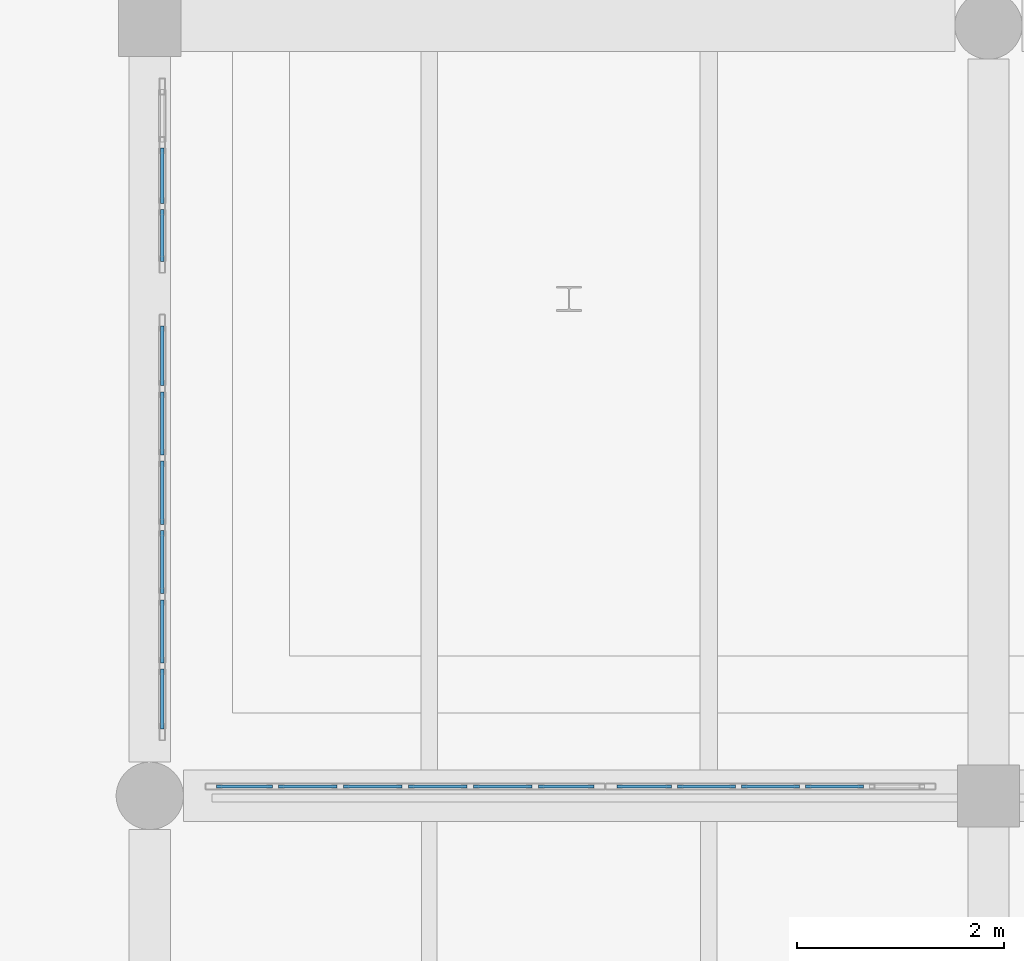
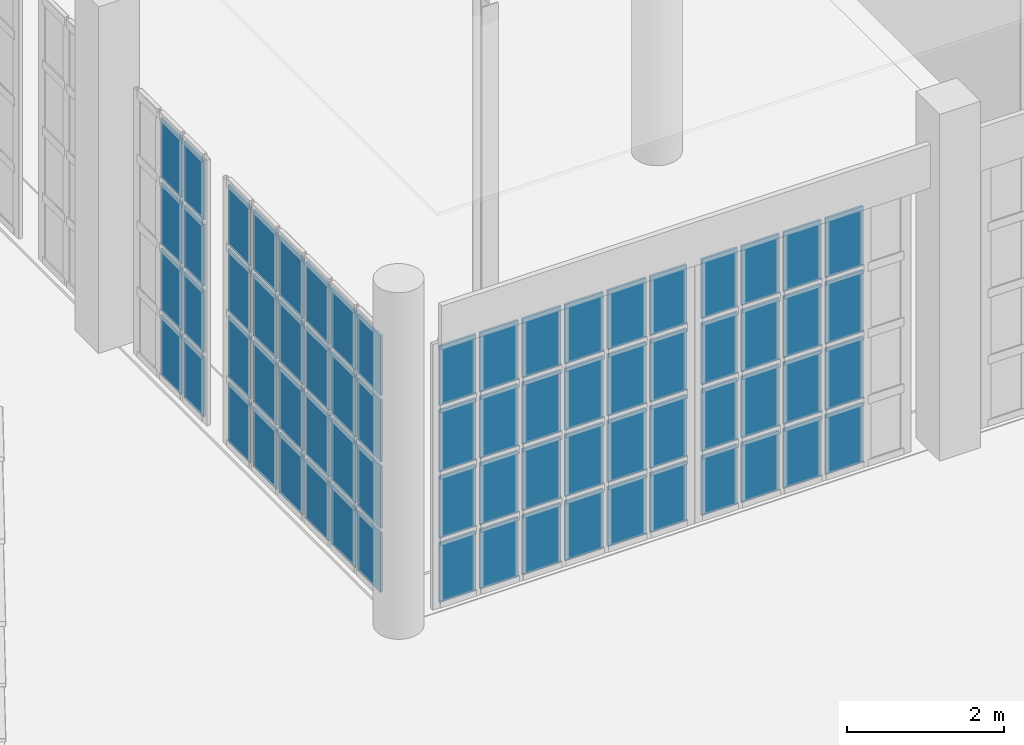
# One storey, part 332 of 372: 72 plates, 4 elements without a shape of their own.
"""IFC4 building model written with IfcOpenShell, lengths in metres."""

from ifc_helpers import new_model, si_unit, direction, frame, origin, origin_2d, place, context, subcontext, project, spatial, rectangle, extrude, material, layer, layer_set, type_object, element, aggregate, save


model = new_model("IFC4")

# Units and contexts
model_context = context("Model", 3, precision=1e-05, world=origin(), true_north=direction((0.0, 1.0)))
body_context = subcontext(model_context, "Body", "Model", "MODEL_VIEW")
ifc_project = project(units=[si_unit("LENGTHUNIT", "METRE"), si_unit("AREAUNIT", "SQUARE_METRE"), si_unit("VOLUMEUNIT", "CUBIC_METRE"), si_unit("PLANEANGLEUNIT", "RADIAN"), si_unit("MASSUNIT", "GRAM", prefix="KILO")], contexts=[model_context])

# Site, building, storey
site_placement = place(None, origin())
site = spatial("IfcSite", under=ifc_project, at=site_placement, CompositionType="ELEMENT")
building_placement = place(site_placement, origin())
building = spatial("IfcBuilding", under=site, at=building_placement, Name="Kaelora Sail Theatre", CompositionType="ELEMENT")
storey_placement = place(building_placement, origin())
storey = spatial("IfcBuildingStorey", under=building, at=storey_placement, Name="L00", CompositionType="ELEMENT", Elevation=0.0)

# Curtain wall, plates
ifc_material_1 = material(Name="Anodised aluminium and solar-control low-E IGU", Category="aluminium")
curtain_wall_type = type_object("IfcCurtainWallType", Name="ARC-CW-CW-FOY2", PredefinedType="NOTDEFINED", material=ifc_material_1)
curtain_wall_1_placement = place(storey_placement, origin())
curtain_wall_1 = element("IfcCurtainWall", 1, at=curtain_wall_1_placement, inside=storey, type_object=curtain_wall_type, Name="East Interstitial Sail Foyer Curtain Wall L00-01", PredefinedType="NOTDEFINED")
ifc_material_2 = material(Name="Solar-control laminated low-E glass", Category="glass")
ifc_layer = layer(ifc_material_2, 0.031982421875)
ifc_layer_set = layer_set([ifc_layer], Name="Solar-control laminated low-E glass")
plate_type = type_object("IfcPlateType", Name="ARC-CW-PNL", PredefinedType="CURTAIN_PANEL", material=ifc_layer_set)
plate_1_placement = place(storey_placement, frame((107.7138671875, 38.7900390625, 0.070068359375), z_axis=(0.0, 0.0, 1.0), x_axis=(1.0, 0.0, 0.0)))
plate_1 = element("IfcPlate", 2, at=plate_1_placement, type_object=plate_type, Name="CW-FOY2 panel 1.1", PredefinedType="CURTAIN_PANEL", context=body_context, shape_type="SweptSolid", body=[
    extrude(rectangle(XDim=0.53759765625, YDim=0.031982421875, at=origin_2d()), origin(), (0.0, 0.0, 1.0), 0.92919921875),
])
plate_2_placement = place(storey_placement, frame((107.7138671875, 38.7900390625, 1.069091796875), z_axis=(0.0, 0.0, 1.0), x_axis=(1.0, 0.0, 0.0)))
plate_2 = element("IfcPlate", 3, at=plate_2_placement, type_object=plate_type, Name="CW-FOY2 panel 1.2", PredefinedType="CURTAIN_PANEL", context=body_context, shape_type="SweptSolid", body=[
    extrude(rectangle(XDim=0.53759765625, YDim=0.031982421875, at=origin_2d()), origin(), (0.0, 0.0, 1.0), 0.96435546875),
])
plate_3_placement = place(storey_placement, frame((107.7138671875, 38.7900390625, 2.103515625), z_axis=(0.0, 0.0, 1.0), x_axis=(1.0, 0.0, 0.0)))
plate_3 = element("IfcPlate", 4, at=plate_3_placement, type_object=plate_type, Name="CW-FOY2 panel 1.3", PredefinedType="CURTAIN_PANEL", context=body_context, shape_type="SweptSolid", body=[
    extrude(rectangle(XDim=0.53759765625, YDim=0.031982421875, at=origin_2d()), origin(), (0.0, 0.0, 1.0), 0.964111328125),
])
plate_4_placement = place(storey_placement, frame((107.7138671875, 38.7900390625, 3.1376953125), z_axis=(0.0, 0.0, 1.0), x_axis=(1.0, 0.0, 0.0)))
plate_4 = element("IfcPlate", 5, at=plate_4_placement, type_object=plate_type, Name="CW-FOY2 panel 1.4", PredefinedType="CURTAIN_PANEL", context=body_context, shape_type="SweptSolid", body=[
    extrude(rectangle(XDim=0.53759765625, YDim=0.031982421875, at=origin_2d()), origin(), (0.0, 0.0, 1.0), 0.92919921875),
])
plate_5_placement = place(storey_placement, frame((108.326171875, 38.7900390625, 0.070068359375), z_axis=(0.0, 0.0, 1.0), x_axis=(1.0, 0.0, 0.0)))
plate_5 = element("IfcPlate", 6, at=plate_5_placement, type_object=plate_type, Name="CW-FOY2 panel 2.1", PredefinedType="CURTAIN_PANEL", context=body_context, shape_type="SweptSolid", body=[
    extrude(rectangle(XDim=0.5673828125, YDim=0.031982421875, at=origin_2d()), origin(), (0.0, 0.0, 1.0), 0.92919921875),
])
plate_6_placement = place(storey_placement, frame((108.326171875, 38.7900390625, 1.069091796875), z_axis=(0.0, 0.0, 1.0), x_axis=(1.0, 0.0, 0.0)))
plate_6 = element("IfcPlate", 7, at=plate_6_placement, type_object=plate_type, Name="CW-FOY2 panel 2.2", PredefinedType="CURTAIN_PANEL", context=body_context, shape_type="SweptSolid", body=[
    extrude(rectangle(XDim=0.5673828125, YDim=0.031982421875, at=origin_2d()), origin(), (0.0, 0.0, 1.0), 0.96435546875),
])
plate_7_placement = place(storey_placement, frame((108.326171875, 38.7900390625, 2.103515625), z_axis=(0.0, 0.0, 1.0), x_axis=(1.0, 0.0, 0.0)))
plate_7 = element("IfcPlate", 8, at=plate_7_placement, type_object=plate_type, Name="CW-FOY2 panel 2.3", PredefinedType="CURTAIN_PANEL", context=body_context, shape_type="SweptSolid", body=[
    extrude(rectangle(XDim=0.5673828125, YDim=0.031982421875, at=origin_2d()), origin(), (0.0, 0.0, 1.0), 0.964111328125),
])
plate_8_placement = place(storey_placement, frame((108.326171875, 38.7900390625, 3.1376953125), z_axis=(0.0, 0.0, 1.0), x_axis=(1.0, 0.0, 0.0)))
plate_8 = element("IfcPlate", 9, at=plate_8_placement, type_object=plate_type, Name="CW-FOY2 panel 2.4", PredefinedType="CURTAIN_PANEL", context=body_context, shape_type="SweptSolid", body=[
    extrude(rectangle(XDim=0.5673828125, YDim=0.031982421875, at=origin_2d()), origin(), (0.0, 0.0, 1.0), 0.92919921875),
])
plate_9_placement = place(storey_placement, frame((108.953857421875, 38.7900390625, 0.070068359375), z_axis=(0.0, 0.0, 1.0), x_axis=(1.0, 0.0, 0.0)))
plate_9 = element("IfcPlate", 10, at=plate_9_placement, type_object=plate_type, Name="CW-FOY2 panel 3.1", PredefinedType="CURTAIN_PANEL", context=body_context, shape_type="SweptSolid", body=[
    extrude(rectangle(XDim=0.5673828125, YDim=0.031982421875, at=origin_2d()), origin(), (0.0, 0.0, 1.0), 0.92919921875),
])
plate_10_placement = place(storey_placement, frame((108.953857421875, 38.7900390625, 1.069091796875), z_axis=(0.0, 0.0, 1.0), x_axis=(1.0, 0.0, 0.0)))
plate_10 = element("IfcPlate", 11, at=plate_10_placement, type_object=plate_type, Name="CW-FOY2 panel 3.2", PredefinedType="CURTAIN_PANEL", context=body_context, shape_type="SweptSolid", body=[
    extrude(rectangle(XDim=0.5673828125, YDim=0.031982421875, at=origin_2d()), origin(), (0.0, 0.0, 1.0), 0.96435546875),
])
plate_11_placement = place(storey_placement, frame((108.953857421875, 38.7900390625, 2.103515625), z_axis=(0.0, 0.0, 1.0), x_axis=(1.0, 0.0, 0.0)))
plate_11 = element("IfcPlate", 12, at=plate_11_placement, type_object=plate_type, Name="CW-FOY2 panel 3.3", PredefinedType="CURTAIN_PANEL", context=body_context, shape_type="SweptSolid", body=[
    extrude(rectangle(XDim=0.5673828125, YDim=0.031982421875, at=origin_2d()), origin(), (0.0, 0.0, 1.0), 0.964111328125),
])
plate_12_placement = place(storey_placement, frame((108.953857421875, 38.7900390625, 3.1376953125), z_axis=(0.0, 0.0, 1.0), x_axis=(1.0, 0.0, 0.0)))
plate_12 = element("IfcPlate", 13, at=plate_12_placement, type_object=plate_type, Name="CW-FOY2 panel 3.4", PredefinedType="CURTAIN_PANEL", context=body_context, shape_type="SweptSolid", body=[
    extrude(rectangle(XDim=0.5673828125, YDim=0.031982421875, at=origin_2d()), origin(), (0.0, 0.0, 1.0), 0.92919921875),
])
plate_13_placement = place(storey_placement, frame((109.581298828125, 38.7900390625, 0.070068359375), z_axis=(0.0, 0.0, 1.0), x_axis=(1.0, 0.0, 0.0)))
plate_13 = element("IfcPlate", 14, at=plate_13_placement, type_object=plate_type, Name="CW-FOY2 panel 4.1", PredefinedType="CURTAIN_PANEL", context=body_context, shape_type="SweptSolid", body=[
    extrude(rectangle(XDim=0.5673828125, YDim=0.031982421875, at=origin_2d()), origin(), (0.0, 0.0, 1.0), 0.92919921875),
])
plate_14_placement = place(storey_placement, frame((109.581298828125, 38.7900390625, 1.069091796875), z_axis=(0.0, 0.0, 1.0), x_axis=(1.0, 0.0, 0.0)))
plate_14 = element("IfcPlate", 15, at=plate_14_placement, type_object=plate_type, Name="CW-FOY2 panel 4.2", PredefinedType="CURTAIN_PANEL", context=body_context, shape_type="SweptSolid", body=[
    extrude(rectangle(XDim=0.5673828125, YDim=0.031982421875, at=origin_2d()), origin(), (0.0, 0.0, 1.0), 0.96435546875),
])
plate_15_placement = place(storey_placement, frame((109.581298828125, 38.7900390625, 2.103515625), z_axis=(0.0, 0.0, 1.0), x_axis=(1.0, 0.0, 0.0)))
plate_15 = element("IfcPlate", 16, at=plate_15_placement, type_object=plate_type, Name="CW-FOY2 panel 4.3", PredefinedType="CURTAIN_PANEL", context=body_context, shape_type="SweptSolid", body=[
    extrude(rectangle(XDim=0.5673828125, YDim=0.031982421875, at=origin_2d()), origin(), (0.0, 0.0, 1.0), 0.964111328125),
])
plate_16_placement = place(storey_placement, frame((109.581298828125, 38.7900390625, 3.1376953125), z_axis=(0.0, 0.0, 1.0), x_axis=(1.0, 0.0, 0.0)))
plate_16 = element("IfcPlate", 17, at=plate_16_placement, type_object=plate_type, Name="CW-FOY2 panel 4.4", PredefinedType="CURTAIN_PANEL", context=body_context, shape_type="SweptSolid", body=[
    extrude(rectangle(XDim=0.5673828125, YDim=0.031982421875, at=origin_2d()), origin(), (0.0, 0.0, 1.0), 0.92919921875),
])
plate_17_placement = place(storey_placement, frame((110.208740234375, 38.7900390625, 0.070068359375), z_axis=(0.0, 0.0, 1.0), x_axis=(1.0, 0.0, 0.0)))
plate_17 = element("IfcPlate", 18, at=plate_17_placement, type_object=plate_type, Name="CW-FOY2 panel 5.1", PredefinedType="CURTAIN_PANEL", context=body_context, shape_type="SweptSolid", body=[
    extrude(rectangle(XDim=0.5673828125, YDim=0.031982421875, at=origin_2d()), origin(), (0.0, 0.0, 1.0), 0.92919921875),
])
plate_18_placement = place(storey_placement, frame((110.208740234375, 38.7900390625, 1.069091796875), z_axis=(0.0, 0.0, 1.0), x_axis=(1.0, 0.0, 0.0)))
plate_18 = element("IfcPlate", 19, at=plate_18_placement, type_object=plate_type, Name="CW-FOY2 panel 5.2", PredefinedType="CURTAIN_PANEL", context=body_context, shape_type="SweptSolid", body=[
    extrude(rectangle(XDim=0.5673828125, YDim=0.031982421875, at=origin_2d()), origin(), (0.0, 0.0, 1.0), 0.96435546875),
])
plate_19_placement = place(storey_placement, frame((110.208740234375, 38.7900390625, 2.103515625), z_axis=(0.0, 0.0, 1.0), x_axis=(1.0, 0.0, 0.0)))
plate_19 = element("IfcPlate", 20, at=plate_19_placement, type_object=plate_type, Name="CW-FOY2 panel 5.3", PredefinedType="CURTAIN_PANEL", context=body_context, shape_type="SweptSolid", body=[
    extrude(rectangle(XDim=0.5673828125, YDim=0.031982421875, at=origin_2d()), origin(), (0.0, 0.0, 1.0), 0.964111328125),
])
plate_20_placement = place(storey_placement, frame((110.208740234375, 38.7900390625, 3.1376953125), z_axis=(0.0, 0.0, 1.0), x_axis=(1.0, 0.0, 0.0)))
plate_20 = element("IfcPlate", 21, at=plate_20_placement, type_object=plate_type, Name="CW-FOY2 panel 5.4", PredefinedType="CURTAIN_PANEL", context=body_context, shape_type="SweptSolid", body=[
    extrude(rectangle(XDim=0.5673828125, YDim=0.031982421875, at=origin_2d()), origin(), (0.0, 0.0, 1.0), 0.92919921875),
])
plate_21_placement = place(storey_placement, frame((110.8212890625, 38.7900390625, 0.070068359375), z_axis=(0.0, 0.0, 1.0), x_axis=(1.0, 0.0, 0.0)))
plate_21 = element("IfcPlate", 22, at=plate_21_placement, type_object=plate_type, Name="CW-FOY2 panel 6.1", PredefinedType="CURTAIN_PANEL", context=body_context, shape_type="SweptSolid", body=[
    extrude(rectangle(XDim=0.53759765625, YDim=0.031982421875, at=origin_2d()), origin(), (0.0, 0.0, 1.0), 0.92919921875),
])
plate_22_placement = place(storey_placement, frame((110.8212890625, 38.7900390625, 1.069091796875), z_axis=(0.0, 0.0, 1.0), x_axis=(1.0, 0.0, 0.0)))
plate_22 = element("IfcPlate", 23, at=plate_22_placement, type_object=plate_type, Name="CW-FOY2 panel 6.2", PredefinedType="CURTAIN_PANEL", context=body_context, shape_type="SweptSolid", body=[
    extrude(rectangle(XDim=0.53759765625, YDim=0.031982421875, at=origin_2d()), origin(), (0.0, 0.0, 1.0), 0.96435546875),
])
plate_23_placement = place(storey_placement, frame((110.8212890625, 38.7900390625, 2.103515625), z_axis=(0.0, 0.0, 1.0), x_axis=(1.0, 0.0, 0.0)))
plate_23 = element("IfcPlate", 24, at=plate_23_placement, type_object=plate_type, Name="CW-FOY2 panel 6.3", PredefinedType="CURTAIN_PANEL", context=body_context, shape_type="SweptSolid", body=[
    extrude(rectangle(XDim=0.53759765625, YDim=0.031982421875, at=origin_2d()), origin(), (0.0, 0.0, 1.0), 0.964111328125),
])
plate_24_placement = place(storey_placement, frame((110.8212890625, 38.7900390625, 3.1376953125), z_axis=(0.0, 0.0, 1.0), x_axis=(1.0, 0.0, 0.0)))
plate_24 = element("IfcPlate", 25, at=plate_24_placement, type_object=plate_type, Name="CW-FOY2 panel 6.4", PredefinedType="CURTAIN_PANEL", context=body_context, shape_type="SweptSolid", body=[
    extrude(rectangle(XDim=0.53759765625, YDim=0.031982421875, at=origin_2d()), origin(), (0.0, 0.0, 1.0), 0.92919921875),
])
aggregate(curtain_wall_1, [plate_1, plate_2, plate_3, plate_4, plate_5, plate_6, plate_7, plate_8, plate_9, plate_10, plate_11, plate_12, plate_13, plate_14, plate_15, plate_16, plate_17, plate_18, plate_19, plate_20, plate_21, plate_22, plate_23, plate_24])

curtain_wall_2_placement = place(storey_placement, origin())
curtain_wall_2 = element("IfcCurtainWall", 26, at=curtain_wall_2_placement, inside=storey, type_object=curtain_wall_type, Name="East Interstitial Sail Foyer Curtain Wall L00-02", PredefinedType="NOTDEFINED")
plate_25_placement = place(storey_placement, frame((111.573974609375, 38.7900390625, 0.070068359375), z_axis=(0.0, 0.0, 1.0), x_axis=(1.0, 0.0, 0.0)))
plate_25 = element("IfcPlate", 27, at=plate_25_placement, type_object=plate_type, Name="CW-FOY2 panel 1.1", PredefinedType="CURTAIN_PANEL", context=body_context, shape_type="SweptSolid", body=[
    extrude(rectangle(XDim=0.528076171875, YDim=0.031982421875, at=origin_2d()), origin(), (0.0, 0.0, 1.0), 0.92919921875),
])
plate_26_placement = place(storey_placement, frame((111.573974609375, 38.7900390625, 1.069091796875), z_axis=(0.0, 0.0, 1.0), x_axis=(1.0, 0.0, 0.0)))
plate_26 = element("IfcPlate", 28, at=plate_26_placement, type_object=plate_type, Name="CW-FOY2 panel 1.2", PredefinedType="CURTAIN_PANEL", context=body_context, shape_type="SweptSolid", body=[
    extrude(rectangle(XDim=0.528076171875, YDim=0.031982421875, at=origin_2d()), origin(), (0.0, 0.0, 1.0), 0.96435546875),
])
plate_27_placement = place(storey_placement, frame((111.573974609375, 38.7900390625, 2.103515625), z_axis=(0.0, 0.0, 1.0), x_axis=(1.0, 0.0, 0.0)))
plate_27 = element("IfcPlate", 29, at=plate_27_placement, type_object=plate_type, Name="CW-FOY2 panel 1.3", PredefinedType="CURTAIN_PANEL", context=body_context, shape_type="SweptSolid", body=[
    extrude(rectangle(XDim=0.528076171875, YDim=0.031982421875, at=origin_2d()), origin(), (0.0, 0.0, 1.0), 0.964111328125),
])
plate_28_placement = place(storey_placement, frame((111.573974609375, 38.7900390625, 3.1376953125), z_axis=(0.0, 0.0, 1.0), x_axis=(1.0, 0.0, 0.0)))
plate_28 = element("IfcPlate", 30, at=plate_28_placement, type_object=plate_type, Name="CW-FOY2 panel 1.4", PredefinedType="CURTAIN_PANEL", context=body_context, shape_type="SweptSolid", body=[
    extrude(rectangle(XDim=0.528076171875, YDim=0.031982421875, at=origin_2d()), origin(), (0.0, 0.0, 1.0), 0.92919921875),
])
plate_29_placement = place(storey_placement, frame((112.177001953125, 38.7900390625, 0.070068359375), z_axis=(0.0, 0.0, 1.0), x_axis=(1.0, 0.0, 0.0)))
plate_29 = element("IfcPlate", 31, at=plate_29_placement, type_object=plate_type, Name="CW-FOY2 panel 2.1", PredefinedType="CURTAIN_PANEL", context=body_context, shape_type="SweptSolid", body=[
    extrude(rectangle(XDim=0.55810546875, YDim=0.031982421875, at=origin_2d()), origin(), (0.0, 0.0, 1.0), 0.92919921875),
])
plate_30_placement = place(storey_placement, frame((112.177001953125, 38.7900390625, 1.069091796875), z_axis=(0.0, 0.0, 1.0), x_axis=(1.0, 0.0, 0.0)))
plate_30 = element("IfcPlate", 32, at=plate_30_placement, type_object=plate_type, Name="CW-FOY2 panel 2.2", PredefinedType="CURTAIN_PANEL", context=body_context, shape_type="SweptSolid", body=[
    extrude(rectangle(XDim=0.55810546875, YDim=0.031982421875, at=origin_2d()), origin(), (0.0, 0.0, 1.0), 0.96435546875),
])
plate_31_placement = place(storey_placement, frame((112.177001953125, 38.7900390625, 2.103515625), z_axis=(0.0, 0.0, 1.0), x_axis=(1.0, 0.0, 0.0)))
plate_31 = element("IfcPlate", 33, at=plate_31_placement, type_object=plate_type, Name="CW-FOY2 panel 2.3", PredefinedType="CURTAIN_PANEL", context=body_context, shape_type="SweptSolid", body=[
    extrude(rectangle(XDim=0.55810546875, YDim=0.031982421875, at=origin_2d()), origin(), (0.0, 0.0, 1.0), 0.964111328125),
])
plate_32_placement = place(storey_placement, frame((112.177001953125, 38.7900390625, 3.1376953125), z_axis=(0.0, 0.0, 1.0), x_axis=(1.0, 0.0, 0.0)))
plate_32 = element("IfcPlate", 34, at=plate_32_placement, type_object=plate_type, Name="CW-FOY2 panel 2.4", PredefinedType="CURTAIN_PANEL", context=body_context, shape_type="SweptSolid", body=[
    extrude(rectangle(XDim=0.55810546875, YDim=0.031982421875, at=origin_2d()), origin(), (0.0, 0.0, 1.0), 0.92919921875),
])
plate_33_placement = place(storey_placement, frame((112.794921875, 38.7900390625, 0.070068359375), z_axis=(0.0, 0.0, 1.0), x_axis=(1.0, 0.0, 0.0)))
plate_33 = element("IfcPlate", 35, at=plate_33_placement, type_object=plate_type, Name="CW-FOY2 panel 3.1", PredefinedType="CURTAIN_PANEL", context=body_context, shape_type="SweptSolid", body=[
    extrude(rectangle(XDim=0.55810546875, YDim=0.031982421875, at=origin_2d()), origin(), (0.0, 0.0, 1.0), 0.92919921875),
])
plate_34_placement = place(storey_placement, frame((112.794921875, 38.7900390625, 1.069091796875), z_axis=(0.0, 0.0, 1.0), x_axis=(1.0, 0.0, 0.0)))
plate_34 = element("IfcPlate", 36, at=plate_34_placement, type_object=plate_type, Name="CW-FOY2 panel 3.2", PredefinedType="CURTAIN_PANEL", context=body_context, shape_type="SweptSolid", body=[
    extrude(rectangle(XDim=0.55810546875, YDim=0.031982421875, at=origin_2d()), origin(), (0.0, 0.0, 1.0), 0.96435546875),
])
plate_35_placement = place(storey_placement, frame((112.794921875, 38.7900390625, 2.103515625), z_axis=(0.0, 0.0, 1.0), x_axis=(1.0, 0.0, 0.0)))
plate_35 = element("IfcPlate", 37, at=plate_35_placement, type_object=plate_type, Name="CW-FOY2 panel 3.3", PredefinedType="CURTAIN_PANEL", context=body_context, shape_type="SweptSolid", body=[
    extrude(rectangle(XDim=0.55810546875, YDim=0.031982421875, at=origin_2d()), origin(), (0.0, 0.0, 1.0), 0.964111328125),
])
plate_36_placement = place(storey_placement, frame((112.794921875, 38.7900390625, 3.1376953125), z_axis=(0.0, 0.0, 1.0), x_axis=(1.0, 0.0, 0.0)))
plate_36 = element("IfcPlate", 38, at=plate_36_placement, type_object=plate_type, Name="CW-FOY2 panel 3.4", PredefinedType="CURTAIN_PANEL", context=body_context, shape_type="SweptSolid", body=[
    extrude(rectangle(XDim=0.55810546875, YDim=0.031982421875, at=origin_2d()), origin(), (0.0, 0.0, 1.0), 0.92919921875),
])
plate_37_placement = place(storey_placement, frame((113.4130859375, 38.7900390625, 0.070068359375), z_axis=(0.0, 0.0, 1.0), x_axis=(1.0, 0.0, 0.0)))
plate_37 = element("IfcPlate", 39, at=plate_37_placement, type_object=plate_type, Name="CW-FOY2 panel 4.1", PredefinedType="CURTAIN_PANEL", context=body_context, shape_type="SweptSolid", body=[
    extrude(rectangle(XDim=0.55810546875, YDim=0.031982421875, at=origin_2d()), origin(), (0.0, 0.0, 1.0), 0.92919921875),
])
plate_38_placement = place(storey_placement, frame((113.4130859375, 38.7900390625, 1.069091796875), z_axis=(0.0, 0.0, 1.0), x_axis=(1.0, 0.0, 0.0)))
plate_38 = element("IfcPlate", 40, at=plate_38_placement, type_object=plate_type, Name="CW-FOY2 panel 4.2", PredefinedType="CURTAIN_PANEL", context=body_context, shape_type="SweptSolid", body=[
    extrude(rectangle(XDim=0.55810546875, YDim=0.031982421875, at=origin_2d()), origin(), (0.0, 0.0, 1.0), 0.96435546875),
])
plate_39_placement = place(storey_placement, frame((113.4130859375, 38.7900390625, 2.103515625), z_axis=(0.0, 0.0, 1.0), x_axis=(1.0, 0.0, 0.0)))
plate_39 = element("IfcPlate", 41, at=plate_39_placement, type_object=plate_type, Name="CW-FOY2 panel 4.3", PredefinedType="CURTAIN_PANEL", context=body_context, shape_type="SweptSolid", body=[
    extrude(rectangle(XDim=0.55810546875, YDim=0.031982421875, at=origin_2d()), origin(), (0.0, 0.0, 1.0), 0.964111328125),
])
plate_40_placement = place(storey_placement, frame((113.4130859375, 38.7900390625, 3.1376953125), z_axis=(0.0, 0.0, 1.0), x_axis=(1.0, 0.0, 0.0)))
plate_40 = element("IfcPlate", 42, at=plate_40_placement, type_object=plate_type, Name="CW-FOY2 panel 4.4", PredefinedType="CURTAIN_PANEL", context=body_context, shape_type="SweptSolid", body=[
    extrude(rectangle(XDim=0.55810546875, YDim=0.031982421875, at=origin_2d()), origin(), (0.0, 0.0, 1.0), 0.92919921875),
])
aggregate(curtain_wall_2, [plate_25, plate_26, plate_27, plate_28, plate_29, plate_30, plate_31, plate_32, plate_33, plate_34, plate_35, plate_36, plate_37, plate_38, plate_39, plate_40])

curtain_wall_3_placement = place(storey_placement, origin())
curtain_wall_3 = element("IfcCurtainWall", 43, at=curtain_wall_3_placement, inside=storey, type_object=curtain_wall_type, Name="East Interstitial Foyer West Glazed Return L00-01", PredefinedType="NOTDEFINED")
plate_41_placement = place(storey_placement, frame((106.919921875, 39.634521484375, 0.070068359375), z_axis=(0.0, 0.0, 1.0), x_axis=(0.0, 1.0, 0.0)))
plate_41 = element("IfcPlate", 44, at=plate_41_placement, type_object=plate_type, Name="CW-FOY2 panel 1.1", PredefinedType="CURTAIN_PANEL", context=body_context, shape_type="SweptSolid", body=[
    extrude(rectangle(XDim=0.5791015625, YDim=0.031982421875, at=origin_2d()), origin(), (0.0, 0.0, 1.0), 0.92919921875),
])
plate_42_placement = place(storey_placement, frame((106.919921875, 39.634521484375, 1.069091796875), z_axis=(0.0, 0.0, 1.0), x_axis=(0.0, 1.0, 0.0)))
plate_42 = element("IfcPlate", 45, at=plate_42_placement, type_object=plate_type, Name="CW-FOY2 panel 1.2", PredefinedType="CURTAIN_PANEL", context=body_context, shape_type="SweptSolid", body=[
    extrude(rectangle(XDim=0.5791015625, YDim=0.031982421875, at=origin_2d()), origin(), (0.0, 0.0, 1.0), 0.96435546875),
])
plate_43_placement = place(storey_placement, frame((106.919921875, 39.634521484375, 2.103515625), z_axis=(0.0, 0.0, 1.0), x_axis=(0.0, 1.0, 0.0)))
plate_43 = element("IfcPlate", 46, at=plate_43_placement, type_object=plate_type, Name="CW-FOY2 panel 1.3", PredefinedType="CURTAIN_PANEL", context=body_context, shape_type="SweptSolid", body=[
    extrude(rectangle(XDim=0.5791015625, YDim=0.031982421875, at=origin_2d()), origin(), (0.0, 0.0, 1.0), 0.964111328125),
])
plate_44_placement = place(storey_placement, frame((106.919921875, 39.634521484375, 3.1376953125), z_axis=(0.0, 0.0, 1.0), x_axis=(0.0, 1.0, 0.0)))
plate_44 = element("IfcPlate", 47, at=plate_44_placement, type_object=plate_type, Name="CW-FOY2 panel 1.4", PredefinedType="CURTAIN_PANEL", context=body_context, shape_type="SweptSolid", body=[
    extrude(rectangle(XDim=0.5791015625, YDim=0.031982421875, at=origin_2d()), origin(), (0.0, 0.0, 1.0), 0.92919921875),
])
plate_45_placement = place(storey_placement, frame((106.919921875, 40.288818359375, 0.070068359375), z_axis=(0.0, 0.0, 1.0), x_axis=(0.0, 1.0, 0.0)))
plate_45 = element("IfcPlate", 48, at=plate_45_placement, type_object=plate_type, Name="CW-FOY2 panel 2.1", PredefinedType="CURTAIN_PANEL", context=body_context, shape_type="SweptSolid", body=[
    extrude(rectangle(XDim=0.609130859375, YDim=0.031982421875, at=origin_2d()), origin(), (0.0, 0.0, 1.0), 0.92919921875),
])
plate_46_placement = place(storey_placement, frame((106.919921875, 40.288818359375, 1.069091796875), z_axis=(0.0, 0.0, 1.0), x_axis=(0.0, 1.0, 0.0)))
plate_46 = element("IfcPlate", 49, at=plate_46_placement, type_object=plate_type, Name="CW-FOY2 panel 2.2", PredefinedType="CURTAIN_PANEL", context=body_context, shape_type="SweptSolid", body=[
    extrude(rectangle(XDim=0.609130859375, YDim=0.031982421875, at=origin_2d()), origin(), (0.0, 0.0, 1.0), 0.96435546875),
])
plate_47_placement = place(storey_placement, frame((106.919921875, 40.288818359375, 2.103515625), z_axis=(0.0, 0.0, 1.0), x_axis=(0.0, 1.0, 0.0)))
plate_47 = element("IfcPlate", 50, at=plate_47_placement, type_object=plate_type, Name="CW-FOY2 panel 2.3", PredefinedType="CURTAIN_PANEL", context=body_context, shape_type="SweptSolid", body=[
    extrude(rectangle(XDim=0.609130859375, YDim=0.031982421875, at=origin_2d()), origin(), (0.0, 0.0, 1.0), 0.964111328125),
])
plate_48_placement = place(storey_placement, frame((106.919921875, 40.288818359375, 3.1376953125), z_axis=(0.0, 0.0, 1.0), x_axis=(0.0, 1.0, 0.0)))
plate_48 = element("IfcPlate", 51, at=plate_48_placement, type_object=plate_type, Name="CW-FOY2 panel 2.4", PredefinedType="CURTAIN_PANEL", context=body_context, shape_type="SweptSolid", body=[
    extrude(rectangle(XDim=0.609130859375, YDim=0.031982421875, at=origin_2d()), origin(), (0.0, 0.0, 1.0), 0.92919921875),
])
plate_49_placement = place(storey_placement, frame((106.919921875, 40.9580078125, 0.070068359375), z_axis=(0.0, 0.0, 1.0), x_axis=(0.0, 1.0, 0.0)))
plate_49 = element("IfcPlate", 52, at=plate_49_placement, type_object=plate_type, Name="CW-FOY2 panel 3.1", PredefinedType="CURTAIN_PANEL", context=body_context, shape_type="SweptSolid", body=[
    extrude(rectangle(XDim=0.609130859375, YDim=0.031982421875, at=origin_2d()), origin(), (0.0, 0.0, 1.0), 0.92919921875),
])
plate_50_placement = place(storey_placement, frame((106.919921875, 40.9580078125, 1.069091796875), z_axis=(0.0, 0.0, 1.0), x_axis=(0.0, 1.0, 0.0)))
plate_50 = element("IfcPlate", 53, at=plate_50_placement, type_object=plate_type, Name="CW-FOY2 panel 3.2", PredefinedType="CURTAIN_PANEL", context=body_context, shape_type="SweptSolid", body=[
    extrude(rectangle(XDim=0.609130859375, YDim=0.031982421875, at=origin_2d()), origin(), (0.0, 0.0, 1.0), 0.96435546875),
])
plate_51_placement = place(storey_placement, frame((106.919921875, 40.9580078125, 2.103515625), z_axis=(0.0, 0.0, 1.0), x_axis=(0.0, 1.0, 0.0)))
plate_51 = element("IfcPlate", 54, at=plate_51_placement, type_object=plate_type, Name="CW-FOY2 panel 3.3", PredefinedType="CURTAIN_PANEL", context=body_context, shape_type="SweptSolid", body=[
    extrude(rectangle(XDim=0.609130859375, YDim=0.031982421875, at=origin_2d()), origin(), (0.0, 0.0, 1.0), 0.964111328125),
])
plate_52_placement = place(storey_placement, frame((106.919921875, 40.9580078125, 3.1376953125), z_axis=(0.0, 0.0, 1.0), x_axis=(0.0, 1.0, 0.0)))
plate_52 = element("IfcPlate", 55, at=plate_52_placement, type_object=plate_type, Name="CW-FOY2 panel 3.4", PredefinedType="CURTAIN_PANEL", context=body_context, shape_type="SweptSolid", body=[
    extrude(rectangle(XDim=0.609130859375, YDim=0.031982421875, at=origin_2d()), origin(), (0.0, 0.0, 1.0), 0.92919921875),
])
plate_53_placement = place(storey_placement, frame((106.919921875, 41.627197265625, 0.070068359375), z_axis=(0.0, 0.0, 1.0), x_axis=(0.0, 1.0, 0.0)))
plate_53 = element("IfcPlate", 56, at=plate_53_placement, type_object=plate_type, Name="CW-FOY2 panel 4.1", PredefinedType="CURTAIN_PANEL", context=body_context, shape_type="SweptSolid", body=[
    extrude(rectangle(XDim=0.609130859375, YDim=0.031982421875, at=origin_2d()), origin(), (0.0, 0.0, 1.0), 0.92919921875),
])
plate_54_placement = place(storey_placement, frame((106.919921875, 41.627197265625, 1.069091796875), z_axis=(0.0, 0.0, 1.0), x_axis=(0.0, 1.0, 0.0)))
plate_54 = element("IfcPlate", 57, at=plate_54_placement, type_object=plate_type, Name="CW-FOY2 panel 4.2", PredefinedType="CURTAIN_PANEL", context=body_context, shape_type="SweptSolid", body=[
    extrude(rectangle(XDim=0.609130859375, YDim=0.031982421875, at=origin_2d()), origin(), (0.0, 0.0, 1.0), 0.96435546875),
])
plate_55_placement = place(storey_placement, frame((106.919921875, 41.627197265625, 2.103515625), z_axis=(0.0, 0.0, 1.0), x_axis=(0.0, 1.0, 0.0)))
plate_55 = element("IfcPlate", 58, at=plate_55_placement, type_object=plate_type, Name="CW-FOY2 panel 4.3", PredefinedType="CURTAIN_PANEL", context=body_context, shape_type="SweptSolid", body=[
    extrude(rectangle(XDim=0.609130859375, YDim=0.031982421875, at=origin_2d()), origin(), (0.0, 0.0, 1.0), 0.964111328125),
])
plate_56_placement = place(storey_placement, frame((106.919921875, 41.627197265625, 3.1376953125), z_axis=(0.0, 0.0, 1.0), x_axis=(0.0, 1.0, 0.0)))
plate_56 = element("IfcPlate", 59, at=plate_56_placement, type_object=plate_type, Name="CW-FOY2 panel 4.4", PredefinedType="CURTAIN_PANEL", context=body_context, shape_type="SweptSolid", body=[
    extrude(rectangle(XDim=0.609130859375, YDim=0.031982421875, at=origin_2d()), origin(), (0.0, 0.0, 1.0), 0.92919921875),
])
plate_57_placement = place(storey_placement, frame((106.919921875, 42.296142578125, 0.070068359375), z_axis=(0.0, 0.0, 1.0), x_axis=(0.0, 1.0, 0.0)))
plate_57 = element("IfcPlate", 60, at=plate_57_placement, type_object=plate_type, Name="CW-FOY2 panel 5.1", PredefinedType="CURTAIN_PANEL", context=body_context, shape_type="SweptSolid", body=[
    extrude(rectangle(XDim=0.609130859375, YDim=0.031982421875, at=origin_2d()), origin(), (0.0, 0.0, 1.0), 0.92919921875),
])
plate_58_placement = place(storey_placement, frame((106.919921875, 42.296142578125, 1.069091796875), z_axis=(0.0, 0.0, 1.0), x_axis=(0.0, 1.0, 0.0)))
plate_58 = element("IfcPlate", 61, at=plate_58_placement, type_object=plate_type, Name="CW-FOY2 panel 5.2", PredefinedType="CURTAIN_PANEL", context=body_context, shape_type="SweptSolid", body=[
    extrude(rectangle(XDim=0.609130859375, YDim=0.031982421875, at=origin_2d()), origin(), (0.0, 0.0, 1.0), 0.96435546875),
])
plate_59_placement = place(storey_placement, frame((106.919921875, 42.296142578125, 2.103515625), z_axis=(0.0, 0.0, 1.0), x_axis=(0.0, 1.0, 0.0)))
plate_59 = element("IfcPlate", 62, at=plate_59_placement, type_object=plate_type, Name="CW-FOY2 panel 5.3", PredefinedType="CURTAIN_PANEL", context=body_context, shape_type="SweptSolid", body=[
    extrude(rectangle(XDim=0.609130859375, YDim=0.031982421875, at=origin_2d()), origin(), (0.0, 0.0, 1.0), 0.964111328125),
])
plate_60_placement = place(storey_placement, frame((106.919921875, 42.296142578125, 3.1376953125), z_axis=(0.0, 0.0, 1.0), x_axis=(0.0, 1.0, 0.0)))
plate_60 = element("IfcPlate", 63, at=plate_60_placement, type_object=plate_type, Name="CW-FOY2 panel 5.4", PredefinedType="CURTAIN_PANEL", context=body_context, shape_type="SweptSolid", body=[
    extrude(rectangle(XDim=0.609130859375, YDim=0.031982421875, at=origin_2d()), origin(), (0.0, 0.0, 1.0), 0.92919921875),
])
plate_61_placement = place(storey_placement, frame((106.919921875, 42.950439453125, 0.070068359375), z_axis=(0.0, 0.0, 1.0), x_axis=(0.0, 1.0, 0.0)))
plate_61 = element("IfcPlate", 64, at=plate_61_placement, type_object=plate_type, Name="CW-FOY2 panel 6.1", PredefinedType="CURTAIN_PANEL", context=body_context, shape_type="SweptSolid", body=[
    extrude(rectangle(XDim=0.5791015625, YDim=0.031982421875, at=origin_2d()), origin(), (0.0, 0.0, 1.0), 0.92919921875),
])
plate_62_placement = place(storey_placement, frame((106.919921875, 42.950439453125, 1.069091796875), z_axis=(0.0, 0.0, 1.0), x_axis=(0.0, 1.0, 0.0)))
plate_62 = element("IfcPlate", 65, at=plate_62_placement, type_object=plate_type, Name="CW-FOY2 panel 6.2", PredefinedType="CURTAIN_PANEL", context=body_context, shape_type="SweptSolid", body=[
    extrude(rectangle(XDim=0.5791015625, YDim=0.031982421875, at=origin_2d()), origin(), (0.0, 0.0, 1.0), 0.96435546875),
])
plate_63_placement = place(storey_placement, frame((106.919921875, 42.950439453125, 2.103515625), z_axis=(0.0, 0.0, 1.0), x_axis=(0.0, 1.0, 0.0)))
plate_63 = element("IfcPlate", 66, at=plate_63_placement, type_object=plate_type, Name="CW-FOY2 panel 6.3", PredefinedType="CURTAIN_PANEL", context=body_context, shape_type="SweptSolid", body=[
    extrude(rectangle(XDim=0.5791015625, YDim=0.031982421875, at=origin_2d()), origin(), (0.0, 0.0, 1.0), 0.964111328125),
])
plate_64_placement = place(storey_placement, frame((106.919921875, 42.950439453125, 3.1376953125), z_axis=(0.0, 0.0, 1.0), x_axis=(0.0, 1.0, 0.0)))
plate_64 = element("IfcPlate", 67, at=plate_64_placement, type_object=plate_type, Name="CW-FOY2 panel 6.4", PredefinedType="CURTAIN_PANEL", context=body_context, shape_type="SweptSolid", body=[
    extrude(rectangle(XDim=0.5791015625, YDim=0.031982421875, at=origin_2d()), origin(), (0.0, 0.0, 1.0), 0.92919921875),
])
aggregate(curtain_wall_3, [plate_41, plate_42, plate_43, plate_44, plate_45, plate_46, plate_47, plate_48, plate_49, plate_50, plate_51, plate_52, plate_53, plate_54, plate_55, plate_56, plate_57, plate_58, plate_59, plate_60, plate_61, plate_62, plate_63, plate_64])

curtain_wall_4_placement = place(storey_placement, origin())
curtain_wall_4 = element("IfcCurtainWall", 68, at=curtain_wall_4_placement, inside=storey, type_object=curtain_wall_type, Name="East Interstitial Foyer West Glazed Return L00-02", PredefinedType="NOTDEFINED")
plate_65_placement = place(storey_placement, frame((106.919921875, 44.111572265625, 0.070068359375), z_axis=(0.0, 0.0, 1.0), x_axis=(0.0, 1.0, 0.0)))
plate_65 = element("IfcPlate", 69, at=plate_65_placement, type_object=plate_type, Name="CW-FOY2 panel 1.1", PredefinedType="CURTAIN_PANEL", context=body_context, shape_type="SweptSolid", body=[
    extrude(rectangle(XDim=0.50341796875, YDim=0.031982421875, at=origin_2d()), origin(), (0.0, 0.0, 1.0), 0.92919921875),
])
plate_66_placement = place(storey_placement, frame((106.919921875, 44.111572265625, 1.069091796875), z_axis=(0.0, 0.0, 1.0), x_axis=(0.0, 1.0, 0.0)))
plate_66 = element("IfcPlate", 70, at=plate_66_placement, type_object=plate_type, Name="CW-FOY2 panel 1.2", PredefinedType="CURTAIN_PANEL", context=body_context, shape_type="SweptSolid", body=[
    extrude(rectangle(XDim=0.50341796875, YDim=0.031982421875, at=origin_2d()), origin(), (0.0, 0.0, 1.0), 0.96435546875),
])
plate_67_placement = place(storey_placement, frame((106.919921875, 44.111572265625, 2.103515625), z_axis=(0.0, 0.0, 1.0), x_axis=(0.0, 1.0, 0.0)))
plate_67 = element("IfcPlate", 71, at=plate_67_placement, type_object=plate_type, Name="CW-FOY2 panel 1.3", PredefinedType="CURTAIN_PANEL", context=body_context, shape_type="SweptSolid", body=[
    extrude(rectangle(XDim=0.50341796875, YDim=0.031982421875, at=origin_2d()), origin(), (0.0, 0.0, 1.0), 0.964111328125),
])
plate_68_placement = place(storey_placement, frame((106.919921875, 44.111572265625, 3.1376953125), z_axis=(0.0, 0.0, 1.0), x_axis=(0.0, 1.0, 0.0)))
plate_68 = element("IfcPlate", 72, at=plate_68_placement, type_object=plate_type, Name="CW-FOY2 panel 1.4", PredefinedType="CURTAIN_PANEL", context=body_context, shape_type="SweptSolid", body=[
    extrude(rectangle(XDim=0.50341796875, YDim=0.031982421875, at=origin_2d()), origin(), (0.0, 0.0, 1.0), 0.92919921875),
])
plate_69_placement = place(storey_placement, frame((106.919921875, 44.68994140625, 0.070068359375), z_axis=(0.0, 0.0, 1.0), x_axis=(0.0, 1.0, 0.0)))
plate_69 = element("IfcPlate", 73, at=plate_69_placement, type_object=plate_type, Name="CW-FOY2 panel 2.1", PredefinedType="CURTAIN_PANEL", context=body_context, shape_type="SweptSolid", body=[
    extrude(rectangle(XDim=0.533447265625, YDim=0.031982421875, at=origin_2d()), origin(), (0.0, 0.0, 1.0), 0.92919921875),
])
plate_70_placement = place(storey_placement, frame((106.919921875, 44.68994140625, 1.069091796875), z_axis=(0.0, 0.0, 1.0), x_axis=(0.0, 1.0, 0.0)))
plate_70 = element("IfcPlate", 74, at=plate_70_placement, type_object=plate_type, Name="CW-FOY2 panel 2.2", PredefinedType="CURTAIN_PANEL", context=body_context, shape_type="SweptSolid", body=[
    extrude(rectangle(XDim=0.533447265625, YDim=0.031982421875, at=origin_2d()), origin(), (0.0, 0.0, 1.0), 0.96435546875),
])
plate_71_placement = place(storey_placement, frame((106.919921875, 44.68994140625, 2.103515625), z_axis=(0.0, 0.0, 1.0), x_axis=(0.0, 1.0, 0.0)))
plate_71 = element("IfcPlate", 75, at=plate_71_placement, type_object=plate_type, Name="CW-FOY2 panel 2.3", PredefinedType="CURTAIN_PANEL", context=body_context, shape_type="SweptSolid", body=[
    extrude(rectangle(XDim=0.533447265625, YDim=0.031982421875, at=origin_2d()), origin(), (0.0, 0.0, 1.0), 0.964111328125),
])
plate_72_placement = place(storey_placement, frame((106.919921875, 44.68994140625, 3.1376953125), z_axis=(0.0, 0.0, 1.0), x_axis=(0.0, 1.0, 0.0)))
plate_72 = element("IfcPlate", 76, at=plate_72_placement, type_object=plate_type, Name="CW-FOY2 panel 2.4", PredefinedType="CURTAIN_PANEL", context=body_context, shape_type="SweptSolid", body=[
    extrude(rectangle(XDim=0.533447265625, YDim=0.031982421875, at=origin_2d()), origin(), (0.0, 0.0, 1.0), 0.92919921875),
])
aggregate(curtain_wall_4, [plate_65, plate_66, plate_67, plate_68, plate_69, plate_70, plate_71, plate_72])

save(model, "model.ifc")
